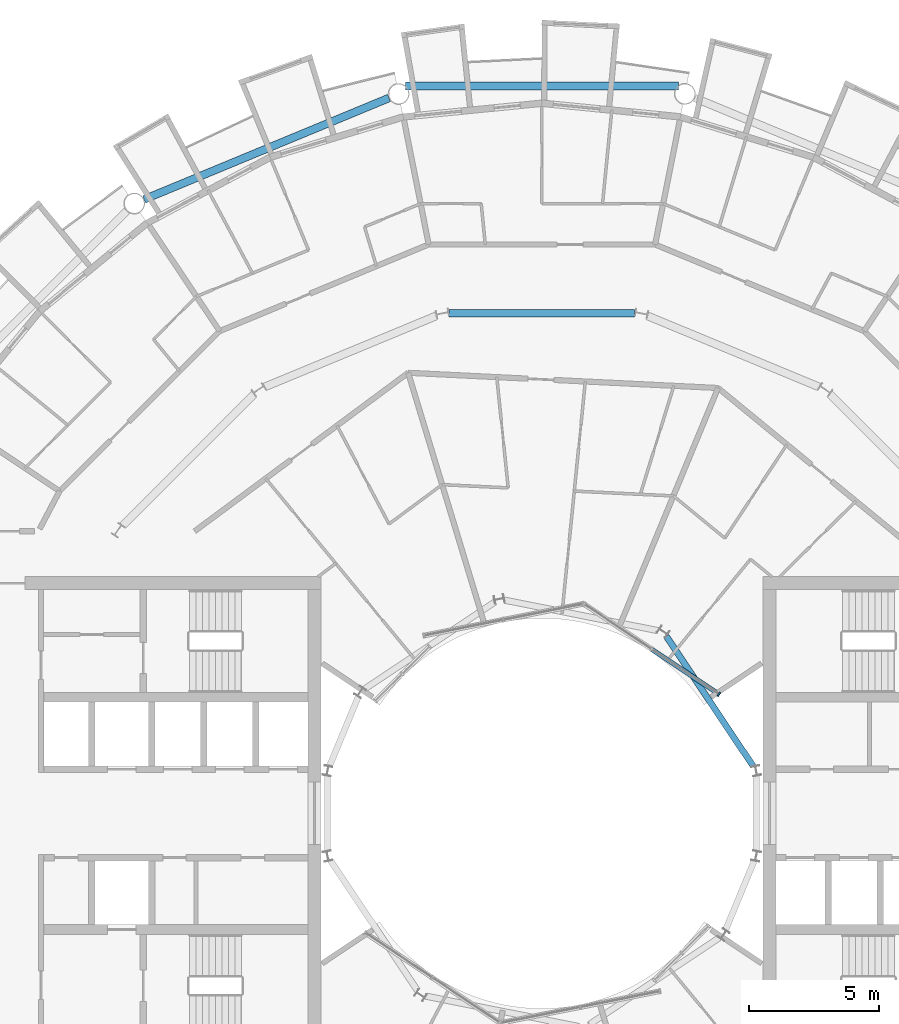
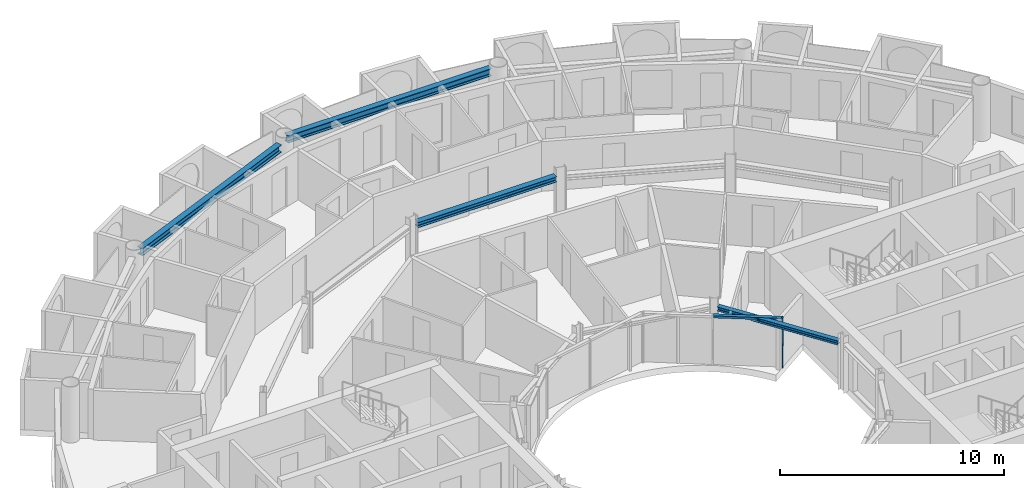
# One storey, part 9 of 27: 4 beams, 2 members, 1 element without a shape of its own.
"""IFC4 building model written with IfcOpenShell, lengths in metres."""

from ifc_helpers import new_model, si_unit, direction, frame, origin, origin_2d, place, context, subcontext, project, spatial, rectangle, i_section, extrude, material, layer, layer_set, material_profile, profile_set, type_object, element, aggregate, save


model = new_model("IFC4")

# Units and contexts
model_context = context("Model", 3, precision=1e-05, world=origin(), true_north=direction((0.0, 1.0)))
body_context = subcontext(model_context, "Body", "Model", "MODEL_VIEW")
ifc_project = project(units=[si_unit("LENGTHUNIT", "METRE"), si_unit("AREAUNIT", "SQUARE_METRE"), si_unit("VOLUMEUNIT", "CUBIC_METRE"), si_unit("PLANEANGLEUNIT", "RADIAN"), si_unit("MASSUNIT", "GRAM", prefix="KILO")], contexts=[model_context])

# Site, building, storey
site_placement = place(None, origin())
site = spatial("IfcSite", under=ifc_project, at=site_placement, CompositionType="ELEMENT")
building_placement = place(site_placement, origin())
building = spatial("IfcBuilding", under=site, at=building_placement, Name="Maasbend Ring Residences", CompositionType="ELEMENT")
storey_placement = place(building_placement, frame((0.0, 0.0, 170.75)))
storey = spatial("IfcBuildingStorey", under=building, at=storey_placement, Name="L49", CompositionType="ELEMENT", Elevation=170.75)

# Curtain wall, members
ifc_material_1 = material(Name="Aluminium and clear glass", Category="aluminium")
ifc_layer = layer(ifc_material_1, 0.179931640625)
ifc_layer_set = layer_set([ifc_layer], Name="CW-W")
curtain_wall_type = type_object("IfcCurtainWallType", Name="CW-W", PredefinedType="NOTDEFINED", material=ifc_layer_set)
curtain_wall_placement = place(storey_placement, origin())
curtain_wall = element("IfcCurtainWall", 1, at=curtain_wall_placement, inside=storey, type_object=curtain_wall_type, Name="Well curtain wall N1", PredefinedType="NOTDEFINED")
ifc_material_2 = material(Name="Aluminium 6063-T6", Category="aluminium")
ifc_material_profile_1 = material_profile(ifc_material_2, rectangle(XDim=0.179931640625, YDim=0.06005859375, at=origin_2d()), Name="AL 180x60")
ifc_profile_set_1 = profile_set([ifc_material_profile_1], Name="Aluminium 6063-T6")
member_type_1 = type_object("IfcMemberType", Name="CWM-W", PredefinedType="MULLION", material=ifc_profile_set_1)
member_1_placement = place(storey_placement, frame((6.805908203125, 4.580810546875, 0.0), z_axis=(0.0, 0.0, 1.0), x_axis=(-0.55557023302, -0.831469612303, 0.0)))
member_1 = element("IfcMember", 2, at=member_1_placement, type_object=member_type_1, Name="Mullion well face", PredefinedType="MULLION", context=body_context, shape_type="SweptSolid", body=[
    extrude(rectangle(XDim=0.179931640625, YDim=0.06005859375, at=origin_2d()), origin(), (0.0, 0.0, 1.0), 2.699951171875),
])
ifc_material_3 = material(Name="Aluminium 6063-T6", Category="aluminium")
ifc_material_profile_2 = material_profile(ifc_material_3, rectangle(XDim=0.179931640625, YDim=0.1201171875, at=origin_2d()), Name="AL 180x120")
ifc_profile_set_2 = profile_set([ifc_material_profile_2], Name="Aluminium 6063-T6")
member_type_2 = type_object("IfcMemberType", Name="CWT-W", PredefinedType="USERDEFINED", material=ifc_profile_set_2)
member_2_placement = place(storey_placement, frame((6.781005859375, 4.59765625, 2.639892578125), z_axis=(-0.831496422459, 0.555530106689, 0.0), x_axis=(-0.555530106689, -0.831496422459, 0.0)))
member_2 = element("IfcMember", 3, at=member_2_placement, type_object=member_type_2, Name="Transom well face", ObjectType="TRANSOM", PredefinedType="USERDEFINED", context=body_context, shape_type="SweptSolid", body=[
    extrude(rectangle(XDim=0.179931640625, YDim=0.1201171875, at=origin_2d()), origin(), (0.0, 0.0, 1.0), 3.053955078125),
])
aggregate(curtain_wall, [member_1, member_2])

# Beams
ifc_material_4 = material(Name="Steel S355J2", Category="steel")
ifc_material_profile_3 = material_profile(ifc_material_4, i_section(OverallWidth=0.300048828125, OverallDepth=0.2900390625, WebThickness=0.008544921875, FlangeThickness=0.013916015625, FilletRadius=0.027099609375, at=origin_2d()), Name="HEA 300")
ifc_profile_set_3 = profile_set([ifc_material_profile_3], Name="Steel S355J2")
beam_type_1 = type_object("IfcBeamType", Name="Corridor ring beam HEA 300", PredefinedType="BEAM", material=ifc_profile_set_3)
beam_1_placement = place(storey_placement, frame((3.56884765625, 19.223388671875, 2.554931640625), z_axis=(-1.0, 0.0, 0.0), x_axis=(0.0, -1.0, 0.0)))
element("IfcBeam", 4, at=beam_1_placement, inside=storey, type_object=beam_type_1, Name="Corridor ring beam", PredefinedType="BEAM", context=body_context, shape_type="SweptSolid", body=[
    extrude(i_section(OverallWidth=0.300048828125, OverallDepth=0.2900390625, WebThickness=0.008544921875, FlangeThickness=0.013916015625, FilletRadius=0.027099609375, at=origin_2d()), origin(), (0.0, 0.0, 1.0), 7.1376953125),
])
ifc_material_5 = material(Name="Steel S355J2", Category="steel")
ifc_material_profile_4 = material_profile(ifc_material_5, i_section(OverallWidth=0.300048828125, OverallDepth=0.39990234375, WebThickness=0.013427734375, FlangeThickness=0.02392578125, FilletRadius=0.027099609375, at=origin_2d()), Name="HEB 400")
ifc_profile_set_4 = profile_set([ifc_material_profile_4], Name="Steel S355J2")
beam_type_2 = type_object("IfcBeamType", Name="Spandrel ring beam HEB 400", PredefinedType="SPANDREL", material=ifc_profile_set_4)
beam_2_placement = place(storey_placement, frame((5.2451171875, 27.9580078125, 2.5), z_axis=(-1.0, 0.0, 0.0), x_axis=(0.0, -1.0, 0.0)))
element("IfcBeam", 5, at=beam_2_placement, inside=storey, type_object=beam_type_2, Name="Spandrel ring beam", PredefinedType="SPANDREL", context=body_context, shape_type="SweptSolid", body=[
    extrude(i_section(OverallWidth=0.300048828125, OverallDepth=0.39990234375, WebThickness=0.013427734375, FlangeThickness=0.02392578125, FilletRadius=0.027099609375, at=origin_2d()), origin(), (0.0, 0.0, 1.0), 10.490234375),
])
beam_3_placement = place(storey_placement, frame((-5.877197265625, 27.50244140625, 2.5), z_axis=(-0.923883676188, -0.382673428492, 0.0), x_axis=(0.382673428492, -0.923883676188, 0.0)))
element("IfcBeam", 6, at=beam_3_placement, inside=storey, type_object=beam_type_2, Name="Spandrel ring beam", PredefinedType="SPANDREL", context=body_context, shape_type="SweptSolid", body=[
    extrude(i_section(OverallWidth=0.300048828125, OverallDepth=0.39990234375, WebThickness=0.013427734375, FlangeThickness=0.02392578125, FilletRadius=0.027099609375, at=origin_2d()), origin(), (0.0, 0.0, 1.0), 10.18994140625),
])
ifc_material_6 = material(Name="Steel S355J2", Category="steel")
ifc_material_profile_5 = material_profile(ifc_material_6, i_section(OverallWidth=0.239990234375, OverallDepth=0.22998046875, WebThickness=0.007568359375, FlangeThickness=0.011962890625, FilletRadius=0.02099609375, at=origin_2d()), Name="HEA 240")
ifc_profile_set_5 = profile_set([ifc_material_profile_5], Name="Steel S355J2")
beam_type_3 = type_object("IfcBeamType", Name="Well edge beam HEA 240", PredefinedType="BEAM", material=ifc_profile_set_5)
beam_4_placement = place(storey_placement, frame((8.121337890625, 1.814208984375, 2.5849609375), z_axis=(-0.555553413909, 0.831480850227, 0.0), x_axis=(-0.831480850227, -0.555553413909, 0.0)))
element("IfcBeam", 7, at=beam_4_placement, inside=storey, type_object=beam_type_3, Name="Well edge beam", PredefinedType="BEAM", context=body_context, shape_type="SweptSolid", body=[
    extrude(i_section(OverallWidth=0.239990234375, OverallDepth=0.22998046875, WebThickness=0.007568359375, FlangeThickness=0.011962890625, FilletRadius=0.02099609375, at=origin_2d()), origin(), (0.0, 0.0, 1.0), 6.0068359375),
])

save(model, "model.ifc")
